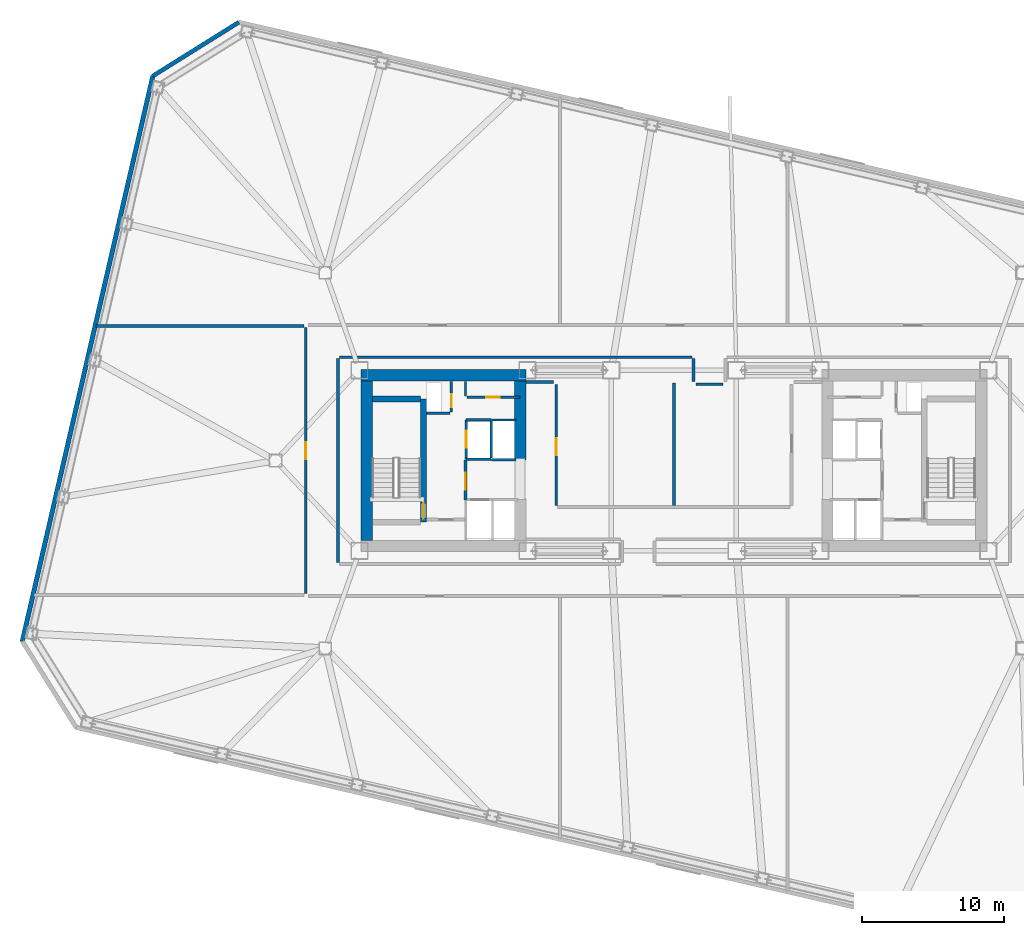
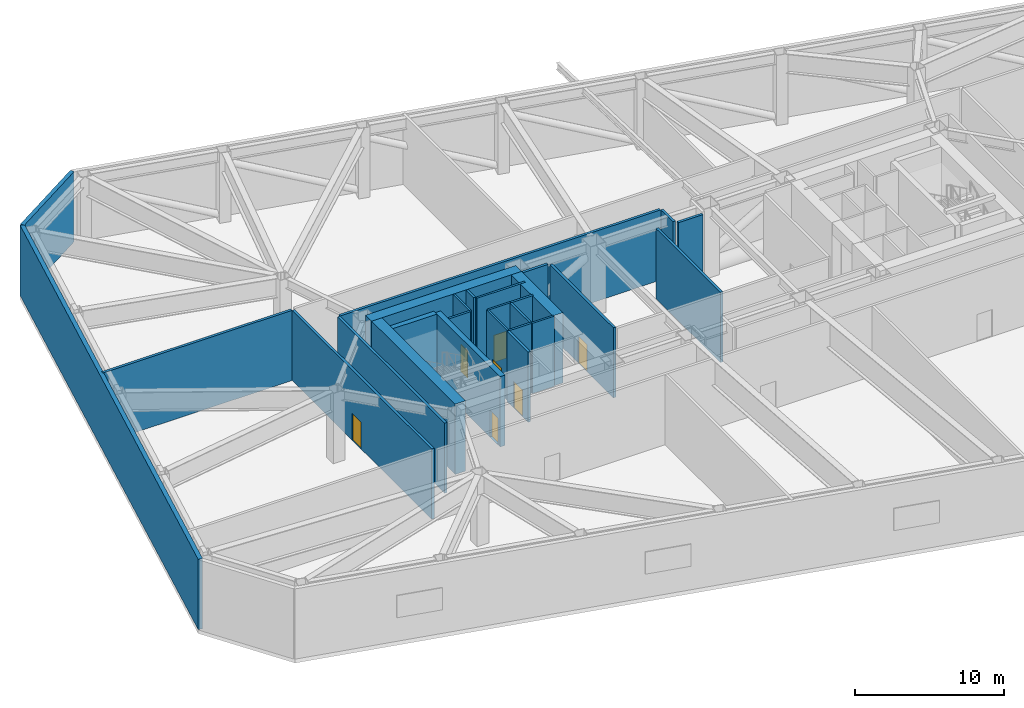
# One storey, part 5 of 15: 27 walls, 7 doors, 7 openings.
"""IFC4 building model written with IfcOpenShell, lengths in metres."""

from ifc_helpers import new_model, si_unit, direction, frame, frame_2d, origin, place, context, subcontext, project, spatial, rectangle, extrude, material, layer, layer_set, type_object, element, fill, save


model = new_model("IFC4")

# Units and contexts
model_context = context("Model", 3, precision=1e-05, world=origin(), true_north=direction((0.0, 1.0)))
body_context = subcontext(model_context, "Body", "Model", "MODEL_VIEW")
ifc_project = project(units=[si_unit("LENGTHUNIT", "METRE"), si_unit("AREAUNIT", "SQUARE_METRE"), si_unit("VOLUMEUNIT", "CUBIC_METRE"), si_unit("PLANEANGLEUNIT", "RADIAN"), si_unit("MASSUNIT", "GRAM", prefix="KILO")], contexts=[model_context])

# Site, building, storey
site_placement = place(None, origin())
site = spatial("IfcSite", under=ifc_project, at=site_placement, CompositionType="ELEMENT")
building_placement = place(site_placement, origin())
building = spatial("IfcBuilding", under=site, at=building_placement, Name="Tavrogorsk Clinical Tower", CompositionType="ELEMENT")
storey_placement = place(building_placement, frame((0.0, 0.0, 33.39990234375)))
storey = spatial("IfcBuildingStorey", under=building, at=storey_placement, Name="L06", CompositionType="ELEMENT", Elevation=33.39990234375)

# Wall, opening, door
ifc_material_1 = material(Name="Concrete B60", Category="concrete")
ifc_layer_1 = layer(ifc_material_1, 0.199951171875)
ifc_layer_set_1 = layer_set([ifc_layer_1], Name="Concrete B60")
wall_type_1 = type_object("IfcWallType", Name="CoreFireWall_200", PredefinedType="SOLIDWALL", material=ifc_layer_set_1)
wall_1_placement = place(storey_placement, frame((-14.639892578125, -2.780029296875, 0.0), z_axis=(0.0, 0.0, 1.0), x_axis=(0.0, 1.0, 0.0)))
wall_1 = element("IfcWall", 1, at=wall_1_placement, inside=storey, type_object=wall_type_1, Name="L06 Core West Firefighting Lobby Fire Wall", PredefinedType="SOLIDWALL", context=body_context, shape_type="SweptSolid", body=[
    extrude(rectangle(XDim=2.820068359375, YDim=0.199951171875, at=frame_2d((1.41015625, 0.0))), origin(), (0.0, 0.0, 1.0), 5.739990234375),
])
opening_1_placement = place(wall_1_placement, frame((0.72998046875, 0.0, 0.0)))
opening_1 = element("IfcOpeningElement", 2, at=opening_1_placement, cuts=wall_1, Name="Opening FD-01", PredefinedType="OPENING", context=body_context, shape_type="SweptSolid", body=[
    extrude(rectangle(XDim=1.199951171875, YDim=2.199951171875, at=frame_2d((0.60009765625, 1.10009765625))), frame((0.0, 0.10986328125, 0.0), z_axis=(0.0, -1.0, 0.0), x_axis=(1.0, 0.0, 0.0)), (0.0, 0.0, 1.0), 0.219970703125),
])
ifc_material_2 = material(Name="Galvanised steel fire-rated door assembly", Category="steel")
door_type_1 = type_object("IfcDoorType", Name="FireDoor_FD01_1200", OperationType="NOTDEFINED", PredefinedType="DOOR", material=ifc_material_2)
door_1_placement = place(opening_1_placement, origin())
door_1 = element("IfcDoor", 3, at=door_1_placement, inside=storey, type_object=door_type_1, Name="L06 Core West Firefighting Lobby Entry Door", OperationType="SINGLE_SWING_RIGHT", OverallHeight=2.199951171875, OverallWidth=1.199951171875, PredefinedType="DOOR", context=body_context, shape_type="SweptSolid", body=[
    extrude(rectangle(XDim=1.199951171875, YDim=2.199951171875, at=frame_2d((0.60009765625, 1.10009765625))), frame((0.0, 0.02490234375, 0.0), z_axis=(0.0, -1.0, 0.0), x_axis=(1.0, 0.0, 0.0)), (0.0, 0.0, 1.0), 0.050048828125),
])
fill(opening_1, door_1)

wall_2_placement = place(storey_placement, frame((-25.8798828125, -9.344970703125, 0.0), z_axis=(0.0, 0.0, 1.0), x_axis=(0.0, 1.0, 0.0)))
wall_2 = element("IfcWall", 4, at=wall_2_placement, inside=storey, type_object=wall_type_1, Name="L06 Refuge Corridor Fire Wall 01", PredefinedType="SOLIDWALL", context=body_context, shape_type="SweptSolid", body=[
    extrude(rectangle(XDim=18.68994140625, YDim=0.199951171875, at=frame_2d((9.344970703125, 0.0))), origin(), (0.0, 0.0, 1.0), 5.739990234375),
])
opening_2_placement = place(wall_2_placement, frame((9.449951171875, 0.0, 0.0)))
opening_2 = element("IfcOpeningElement", 5, at=opening_2_placement, cuts=wall_2, Name="Opening FD-01", PredefinedType="OPENING", context=body_context, shape_type="SweptSolid", body=[
    extrude(rectangle(XDim=1.199951171875, YDim=2.199951171875, at=frame_2d((0.60009765625, 1.10009765625))), frame((0.0, 0.10986328125, 0.0), z_axis=(0.0, -1.0, 0.0), x_axis=(1.0, 0.0, 0.0)), (0.0, 0.0, 1.0), 0.219970703125),
])
door_2_placement = place(opening_2_placement, origin())
door_2 = element("IfcDoor", 6, at=door_2_placement, inside=storey, type_object=door_type_1, Name="L06 Smoke Extract & Damper Plenum West Fire Door", OperationType="SINGLE_SWING_LEFT", OverallHeight=2.199951171875, OverallWidth=1.199951171875, PredefinedType="DOOR", context=body_context, shape_type="SweptSolid", body=[
    extrude(rectangle(XDim=1.199951171875, YDim=2.199951171875, at=frame_2d((0.60009765625, 1.10009765625))), frame((0.0, 0.02490234375, 0.0), z_axis=(0.0, -1.0, 0.0), x_axis=(1.0, 0.0, 0.0)), (0.0, 0.0, 1.0), 0.050048828125),
])
fill(opening_2, door_2)

# Wall
wall_3_placement = place(storey_placement, frame((-10.3798828125, 5.530029296875, 0.0), z_axis=(0.0, 0.0, 1.0), x_axis=(1.0, 0.0, 0.0)))
element("IfcWall", 7, at=wall_3_placement, inside=storey, type_object=wall_type_1, Name="L06 Refuge Corridor Fire Wall 07", PredefinedType="SOLIDWALL", context=body_context, shape_type="SweptSolid", body=[
    extrude(rectangle(XDim=1.9248046875, YDim=0.199951171875, at=frame_2d((0.96240234375, 0.0))), origin(), (0.0, 0.0, 1.0), 5.739990234375),
])

# Wall, opening, door
wall_4_placement = place(storey_placement, frame((-8.27001953125, 5.344970703125, 0.0), z_axis=(0.0, 0.0, 1.0), x_axis=(0.0, -1.0, 0.0)))
wall_4 = element("IfcWall", 8, at=wall_4_placement, inside=storey, type_object=wall_type_1, Name="L06 Refuge Corridor Fire Wall 08", PredefinedType="SOLIDWALL", context=body_context, shape_type="SweptSolid", body=[
    extrude(rectangle(XDim=8.510009765625, YDim=0.199951171875, at=frame_2d((4.2548828125, 0.0))), origin(), (0.0, 0.0, 1.0), 5.739990234375),
])
opening_3_placement = place(wall_4_placement, frame((3.760009765625, 0.0, 0.0)))
opening_3 = element("IfcOpeningElement", 9, at=opening_3_placement, cuts=wall_4, Name="Opening FD-01", PredefinedType="OPENING", context=body_context, shape_type="SweptSolid", body=[
    extrude(rectangle(XDim=1.199951171875, YDim=2.199951171875, at=frame_2d((0.60009765625, 1.10009765625))), frame((0.0, 0.10986328125, 0.0), z_axis=(0.0, -1.0, 0.0), x_axis=(1.0, 0.0, 0.0)), (0.0, 0.0, 1.0), 0.219970703125),
])
door_3_placement = place(opening_3_placement, origin())
door_3 = element("IfcDoor", 10, at=door_3_placement, inside=storey, type_object=door_type_1, Name="L06 Zone Substation & Medical IT UPS Fire Door", OperationType="SINGLE_SWING_LEFT", OverallHeight=2.199951171875, OverallWidth=1.199951171875, PredefinedType="DOOR", context=body_context, shape_type="SweptSolid", body=[
    extrude(rectangle(XDim=1.199951171875, YDim=2.199951171875, at=frame_2d((0.60009765625, 1.10009765625))), frame((0.0, 0.02490234375, 0.0), z_axis=(0.0, -1.0, 0.0), x_axis=(1.0, 0.0, 0.0)), (0.0, 0.0, 1.0), 0.050048828125),
])
fill(opening_3, door_3)

# Walls
wall_5_placement = place(storey_placement, frame((3.445068359375, 5.3701171875, 0.0), z_axis=(0.0, 0.0, 1.0), x_axis=(-1.0, 0.0, 0.0)))
element("IfcWall", 11, at=wall_5_placement, inside=storey, type_object=wall_type_1, Name="L06 Refuge Corridor Fire Wall 18", PredefinedType="SOLIDWALL", context=body_context, shape_type="SweptSolid", body=[
    extrude(rectangle(XDim=1.89013671875, YDim=0.199951171875, at=frame_2d((0.945068359375, 0.0))), origin(), (0.0, 0.0, 1.0), 5.739990234375),
])
wall_6_placement = place(storey_placement, frame((1.3701171875, 5.554931640625, 0.0), z_axis=(0.0, 0.0, 1.0), x_axis=(0.0, 1.0, 0.0)))
element("IfcWall", 12, at=wall_6_placement, inside=storey, type_object=wall_type_1, Name="L06 Refuge Corridor Fire Wall 19", PredefinedType="SOLIDWALL", context=body_context, shape_type="SweptSolid", body=[
    extrude(rectangle(XDim=1.610107421875, YDim=0.199951171875, at=frame_2d((0.80517578125, 0.0))), origin(), (0.0, 0.0, 1.0), 5.739990234375),
])
wall_7_placement = place(storey_placement, frame((1.264892578125, 7.27001953125, 0.0), z_axis=(0.0, 0.0, 1.0), x_axis=(-1.0, 0.0, 0.0)))
element("IfcWall", 13, at=wall_7_placement, inside=storey, type_object=wall_type_1, Name="L06 Refuge Corridor Fire Wall 20", PredefinedType="SOLIDWALL", context=body_context, shape_type="SweptSolid", body=[
    extrude(rectangle(XDim=24.77978515625, YDim=0.199951171875, at=frame_2d((12.389892578125, 0.0))), origin(), (0.0, 0.0, 1.0), 5.739990234375),
])
wall_8_placement = place(storey_placement, frame((-23.6201171875, 7.1650390625, 0.0), z_axis=(0.0, 0.0, 1.0), x_axis=(0.0, -1.0, 0.0)))
element("IfcWall", 14, at=wall_8_placement, inside=storey, type_object=wall_type_1, Name="L06 Refuge Corridor Fire Wall 21", PredefinedType="SOLIDWALL", context=body_context, shape_type="SweptSolid", body=[
    extrude(rectangle(XDim=14.330078125, YDim=0.199951171875, at=frame_2d((7.1650390625, 0.0))), origin(), (0.0, 0.0, 1.0), 5.739990234375),
])
wall_9_placement = place(storey_placement, frame((-40.629150390625, 9.449951171875, 0.0), z_axis=(0.0, 0.0, 1.0), x_axis=(1.0, 0.0, 0.0)))
element("IfcWall", 15, at=wall_9_placement, inside=storey, type_object=wall_type_1, Name="L06 Refuge & Plant Fire Wall 3", PredefinedType="SOLIDWALL", context=body_context, shape_type="SweptSolid", body=[
    extrude(rectangle(XDim=14.64404296875, YDim=0.199951171875, at=frame_2d((7.322021484375, 0.0))), origin(), (0.0, 0.0, 1.0), 5.739990234375),
])
wall_10_placement = place(storey_placement, frame((0.0, -3.1650390625, 0.0), z_axis=(0.0, 0.0, 1.0), x_axis=(0.0, 1.0, 0.0)))
element("IfcWall", 16, at=wall_10_placement, inside=storey, type_object=wall_type_1, Name="L06 Refuge & Plant Fire Wall 9", PredefinedType="SOLIDWALL", context=body_context, shape_type="SweptSolid", body=[
    extrude(rectangle(XDim=8.614990234375, YDim=0.199951171875, at=frame_2d((4.3076171875, 0.0))), origin(), (0.0, 0.0, 1.0), 5.739990234375),
])

# Wall, opening, door
ifc_material_3 = material(Name="Lightweight concrete blockwork B15", Category="masonry")
ifc_layer_2 = layer(ifc_material_3, 0.159912109375)
ifc_layer_set_2 = layer_set([ifc_layer_2], Name="Lightweight concrete blockwork B15")
wall_type_2 = type_object("IfcWallType", Name="PartitionWall_160", PredefinedType="PARTITIONING", material=ifc_layer_set_2)
wall_11_placement = place(storey_placement, frame((-14.554931640625, 4.4599609375, 0.0), z_axis=(0.0, 0.0, 1.0), x_axis=(1.0, 0.0, 0.0)))
wall_11 = element("IfcWall", 17, at=wall_11_placement, inside=storey, type_object=wall_type_2, Name="L06 Core West Pneumatic Dispatch South Wall", PredefinedType="PARTITIONING", context=body_context, shape_type="SweptSolid", body=[
    extrude(rectangle(XDim=3.7548828125, YDim=0.159912109375, at=frame_2d((1.87744140625, 0.0))), origin(), (0.0, 0.0, 1.0), 5.739990234375),
])
opening_4_placement = place(wall_11_placement, frame((1.35009765625, 0.0, 0.0)))
opening_4 = element("IfcOpeningElement", 18, at=opening_4_placement, cuts=wall_11, Name="Opening ID-02", PredefinedType="OPENING", context=body_context, shape_type="SweptSolid", body=[
    extrude(rectangle(XDim=0.949951171875, YDim=2.199951171875, at=frame_2d((0.47509765625, 1.10009765625))), frame((0.0, 0.08984375, 0.0), z_axis=(0.0, -1.0, 0.0), x_axis=(1.0, 0.0, 0.0)), (0.0, 0.0, 1.0), 0.179931640625),
])
ifc_material_4 = material(Name="Laminated timber leaf on aluminium frame", Category="wood")
door_type_2 = type_object("IfcDoorType", Name="InteriorDoor_ID02_950", OperationType="NOTDEFINED", PredefinedType="DOOR", material=ifc_material_4)
door_4_placement = place(opening_4_placement, origin())
door_4 = element("IfcDoor", 19, at=door_4_placement, inside=storey, type_object=door_type_2, Name="L06 Core West Pneumatic Dispatch Door", OperationType="SINGLE_SWING_LEFT", OverallHeight=2.199951171875, OverallWidth=0.949951171875, PredefinedType="DOOR", context=body_context, shape_type="SweptSolid", body=[
    extrude(rectangle(XDim=0.949951171875, YDim=2.199951171875, at=frame_2d((0.47509765625, 1.10009765625))), frame((0.0, 0.02490234375, 0.0), z_axis=(0.0, -1.0, 0.0), x_axis=(1.0, 0.0, 0.0)), (0.0, 0.0, 1.0), 0.050048828125),
])
fill(opening_4, door_4)

# Walls
wall_12_placement = place(storey_placement, frame((-14.639892578125, 4.544921875, 0.0), z_axis=(0.0, 0.0, 1.0), x_axis=(0.0, 1.0, 0.0)))
element("IfcWall", 20, at=wall_12_placement, inside=storey, type_object=wall_type_2, Name="L06 Core West Pneumatic Dispatch East Wall", PredefinedType="PARTITIONING", context=body_context, shape_type="SweptSolid", body=[
    extrude(rectangle(XDim=1.01513671875, YDim=0.159912109375, at=frame_2d((0.507568359375, 0.0))), origin(), (0.0, 0.0, 1.0), 5.739990234375),
])
ifc_material_5 = material(Name="Precast concrete B45 acoustic plenum wall", Category="concrete")
ifc_layer_3 = layer(ifc_material_5, 0.320068359375)
ifc_layer_set_3 = layer_set([ifc_layer_3], Name="Precast concrete B45 acoustic plenum wall")
wall_type_3 = type_object("IfcWallType", Name="PlantLouvreWall_320", PredefinedType="STANDARD", material=ifc_layer_set_3)
wall_13_placement = place(storey_placement, frame((-36.6298828125, 27.039306640625, 0.0), z_axis=(0.0, 0.0, 1.0), x_axis=(-0.224949969076, -0.974370315338, 0.0)))
element("IfcWall", 21, at=wall_13_placement, inside=storey, type_object=wall_type_3, Name="L06 W Pleated Limestone Wing Wall", PredefinedType="STANDARD", context=body_context, shape_type="SweptSolid", body=[
    extrude(rectangle(XDim=40.800048828125, YDim=0.320068359375, at=frame_2d((20.39990234375, 0.0))), origin(), (0.0, 0.0, 1.0), 5.739990234375),
])

# Wall, opening, door
ifc_material_6 = material(Name="Lightweight concrete blockwork B25", Category="masonry")
ifc_layer_4 = layer(ifc_material_6, 0.159912109375)
ifc_layer_set_4 = layer_set([ifc_layer_4], Name="Lightweight concrete blockwork B25")
wall_type_4 = type_object("IfcWallType", Name="ShaftWall_160", PredefinedType="PARTITIONING", material=ifc_layer_set_4)
wall_14_placement = place(storey_placement, frame((-14.60009765625, 0.1201171875, 0.0), z_axis=(0.0, 0.0, 1.0), x_axis=(0.0, 1.0, 0.0)))
wall_14 = element("IfcWall", 22, at=wall_14_placement, inside=storey, type_object=wall_type_4, Name="L06 FFL-W Firefighting Lift Front Wall", PredefinedType="PARTITIONING", context=body_context, shape_type="SweptSolid", body=[
    extrude(rectangle(XDim=2.739990234375, YDim=0.159912109375, at=frame_2d((1.3701171875, 0.0))), origin(), (0.0, 0.0, 1.0), 5.739990234375),
])
opening_5_placement = place(wall_14_placement, frame((0.77001953125, 0.0, 0.0)))
opening_5 = element("IfcOpeningElement", 23, at=opening_5_placement, cuts=wall_14, Name="Opening LD", PredefinedType="OPENING", context=body_context, shape_type="SweptSolid", body=[
    extrude(rectangle(XDim=1.199951171875, YDim=2.199951171875, at=frame_2d((0.60009765625, 1.10009765625))), frame((0.0, 0.08984375, 0.0), z_axis=(0.0, -1.0, 0.0), x_axis=(1.0, 0.0, 0.0)), (0.0, 0.0, 1.0), 0.179931640625),
])
ifc_material_7 = material(Name="Brushed stainless steel AISI 304 sliding doors", Category="steel")
door_type_3 = type_object("IfcDoorType", Name="LiftLandingDoor_LD_1200", OperationType="SLIDING_TO_LEFT", PredefinedType="DOOR", material=ifc_material_7)
door_5_placement = place(opening_5_placement, origin())
door_5 = element("IfcDoor", 24, at=door_5_placement, inside=storey, type_object=door_type_3, Name="L06 FFL-W Sliding Lift Landing Door", OperationType="SLIDING_TO_LEFT", OverallHeight=2.199951171875, OverallWidth=1.199951171875, PredefinedType="DOOR", context=body_context, shape_type="SweptSolid", body=[
    extrude(rectangle(XDim=1.199951171875, YDim=2.199951171875, at=frame_2d((0.60009765625, 1.10009765625))), frame((0.0, 0.02490234375, 0.0), z_axis=(0.0, -1.0, 0.0), x_axis=(1.0, 0.0, 0.0)), (0.0, 0.0, 1.0), 0.050048828125),
])
fill(opening_5, door_5)

# Walls
for number, where, z_axis, x_axis, name in (
    (25, (-14.60009765625, 0.10009765625, 0.0), (0.0, 0.0, 1.0), (1.0, 0.0, 0.0), "L06 FFL-W Shaft South Wall"),
    (26, (-14.60009765625, 2.8798828125, 0.0), (0.0, 0.0, 1.0), (1.0, 0.0, 0.0), "L06 FFL-W Shaft North Wall"),
):
    element("IfcWall", number, at=place(storey_placement, frame(where, z_axis=z_axis, x_axis=x_axis)), inside=storey, type_object=wall_type_4, Name=name, PredefinedType="PARTITIONING", context=body_context, shape_type="SweptSolid", body=[
        extrude(rectangle(XDim=1.760009765625, YDim=0.159912109375, at=frame_2d((0.8798828125, 0.0))), origin(), (0.0, 0.0, 1.0), 5.739990234375),
    ])
wall_15_placement = place(storey_placement, frame((-12.840087890625, 0.179931640625, 0.0), z_axis=(0.0, 0.0, 1.0), x_axis=(0.0, 1.0, 0.0)))
element("IfcWall", 27, at=wall_15_placement, inside=storey, type_object=wall_type_4, Name="L06 FFL-W Shaft Back Wall", PredefinedType="PARTITIONING", context=body_context, shape_type="SweptSolid", body=[
    extrude(rectangle(XDim=2.6201171875, YDim=0.159912109375, at=frame_2d((1.31005859375, 0.0))), origin(), (0.0, 0.0, 1.0), 5.739990234375),
])
for number, where, z_axis, x_axis, name in (
    (28, (-12.820068359375, 0.06005859375, 0.0), (0.0, 0.0, 1.0), (1.0, 0.0, 0.0), "L06 LP-H1 High-Zone Lift Portal Wall"),
    (29, (-12.820068359375, 2.860107421875, 0.0), (0.0, 0.0, 1.0), (1.0, 0.0, 0.0), "L06 LP-H1 High-Zone Lift Rear Wall"),
):
    element("IfcWall", number, at=place(storey_placement, frame(where, z_axis=z_axis, x_axis=x_axis)), inside=storey, type_object=wall_type_4, Name=name, PredefinedType="PARTITIONING", context=body_context, shape_type="SweptSolid", body=[
        extrude(rectangle(XDim=1.719970703125, YDim=0.159912109375, at=frame_2d((0.85986328125, 0.0))), origin(), (0.0, 0.0, 1.0), 5.739990234375),
    ])

# Wall, opening, door
wall_16_placement = place(storey_placement, frame((-15.639892578125, 3.405029296875, 0.0), z_axis=(0.0, 0.0, 1.0), x_axis=(0.0, 1.0, 0.0)))
wall_16 = element("IfcWall", 30, at=wall_16_placement, inside=storey, type_object=wall_type_4, Name="L06 Core West Riser West Wall", PredefinedType="PARTITIONING", context=body_context, shape_type="SweptSolid", body=[
    extrude(rectangle(XDim=2.155029296875, YDim=0.159912109375, at=frame_2d((1.07763671875, 0.0))), origin(), (0.0, 0.0, 1.0), 5.739990234375),
])
opening_6_placement = place(wall_16_placement, frame((0.35009765625, 0.0, 0.0)))
opening_6 = element("IfcOpeningElement", 31, at=opening_6_placement, cuts=wall_16, Name="Opening FD-02", PredefinedType="OPENING", context=body_context, shape_type="SweptSolid", body=[
    extrude(rectangle(XDim=0.89990234375, YDim=2.199951171875, at=frame_2d((0.449951171875, 1.10009765625))), frame((0.0, 0.08984375, 0.0), z_axis=(0.0, -1.0, 0.0), x_axis=(1.0, 0.0, 0.0)), (0.0, 0.0, 1.0), 0.179931640625),
])
ifc_material_8 = material(Name="Galvanised steel fire-rated door assembly", Category="steel")
door_type_4 = type_object("IfcDoorType", Name="FireDoor_FD02_900", OperationType="NOTDEFINED", PredefinedType="DOOR", material=ifc_material_8)
door_6_placement = place(opening_6_placement, origin())
door_6 = element("IfcDoor", 32, at=door_6_placement, inside=storey, type_object=door_type_4, Name="L06 Core West Electrical Riser Access Door", OperationType="SINGLE_SWING_LEFT", OverallHeight=2.199951171875, OverallWidth=0.89990234375, PredefinedType="DOOR", context=body_context, shape_type="SweptSolid", body=[
    extrude(rectangle(XDim=0.89990234375, YDim=2.199951171875, at=frame_2d((0.449951171875, 1.10009765625))), frame((0.0, 0.02490234375, 0.0), z_axis=(0.0, -1.0, 0.0), x_axis=(1.0, 0.0, 0.0)), (0.0, 0.0, 1.0), 0.050048828125),
])
fill(opening_6, door_6)

# Wall
wall_17_placement = place(storey_placement, frame((-17.3798828125, 3.320068359375, 0.0), z_axis=(0.0, 0.0, 1.0), x_axis=(1.0, 0.0, 0.0)))
element("IfcWall", 33, at=wall_17_placement, inside=storey, type_object=wall_type_4, Name="L06 Core West Riser South Wall", PredefinedType="PARTITIONING", context=body_context, shape_type="SweptSolid", body=[
    extrude(rectangle(XDim=1.65478515625, YDim=0.159912109375, at=frame_2d((0.827392578125, 0.0))), origin(), (0.0, 0.0, 1.0), 5.739990234375),
])

# Wall, opening, door
ifc_material_9 = material(Name="Concrete B80", Category="concrete")
ifc_layer_5 = layer(ifc_material_9, 0.39990234375)
ifc_layer_set_5 = layer_set([ifc_layer_5], Name="Concrete B80")
wall_type_5 = type_object("IfcWallType", Name="ShearWall_400", PredefinedType="SHEAR", material=ifc_layer_set_5)
wall_18_placement = place(storey_placement, frame((-17.60009765625, -4.324951171875, 0.0), z_axis=(0.0, 0.0, 1.0), x_axis=(0.0, 1.0, 0.0)))
wall_18 = element("IfcWall", 34, at=wall_18_placement, inside=storey, type_object=wall_type_5, Name="L06 Core West Stair Shaft Inner Shear Wall", PredefinedType="SHEAR", context=body_context, shape_type="SweptSolid", body=[
    extrude(rectangle(XDim=8.64990234375, YDim=0.39990234375, at=frame_2d((4.324951171875, 0.0))), origin(), (0.0, 0.0, 1.0), 5.739990234375),
])
opening_7_placement = place(wall_18_placement, frame((0.25, 0.0, 0.0)))
opening_7 = element("IfcOpeningElement", 35, at=opening_7_placement, cuts=wall_18, Name="Opening SD-01", PredefinedType="OPENING", context=body_context, shape_type="SweptSolid", body=[
    extrude(rectangle(XDim=1.10009765625, YDim=2.199951171875, at=frame_2d((0.550048828125, 1.10009765625))), frame((0.0, 0.2099609375, 0.0), z_axis=(0.0, -1.0, 0.0), x_axis=(1.0, 0.0, 0.0)), (0.0, 0.0, 1.0), 0.419921875),
])
ifc_material_10 = material(Name="Galvanised steel smoke-tight fire door assembly", Category="steel")
door_type_5 = type_object("IfcDoorType", Name="StairFireDoor_SD01_1100", OperationType="NOTDEFINED", PredefinedType="DOOR", material=ifc_material_10)
door_7_placement = place(opening_7_placement, origin())
door_7 = element("IfcDoor", 36, at=door_7_placement, inside=storey, type_object=door_type_5, Name="L06 ST-W Exit Stair Door", OperationType="SINGLE_SWING_LEFT", OverallHeight=2.199951171875, OverallWidth=1.10009765625, PredefinedType="DOOR", context=body_context, shape_type="SweptSolid", body=[
    extrude(rectangle(XDim=1.10009765625, YDim=2.199951171875, at=frame_2d((0.550048828125, 1.10009765625))), frame((0.0, 0.02490234375, 0.0), z_axis=(0.0, -1.0, 0.0), x_axis=(1.0, 0.0, 0.0)), (0.0, 0.0, 1.0), 0.050048828125),
])
fill(opening_7, door_7)

# Walls
wall_19_placement = place(storey_placement, frame((-21.199951171875, 4.324951171875, 0.0), z_axis=(0.0, 0.0, 1.0), x_axis=(1.0, 0.0, 0.0)))
element("IfcWall", 37, at=wall_19_placement, inside=storey, type_object=wall_type_5, Name="L06 Core West Stair Shaft North Shear Wall", PredefinedType="SHEAR", context=body_context, shape_type="SweptSolid", body=[
    extrude(rectangle(XDim=3.39990234375, YDim=0.39990234375, at=frame_2d((1.699951171875, 0.0))), origin(), (0.0, 0.0, 1.0), 5.739990234375),
])
ifc_material_11 = material(Name="Concrete B80", Category="concrete")
ifc_layer_6 = layer(ifc_material_11, 0.800048828125)
ifc_layer_set_6 = layer_set([ifc_layer_6], Name="Concrete B80")
wall_type_6 = type_object("IfcWallType", Name="ShearWall_800", PredefinedType="SHEAR", material=ifc_layer_set_6)
wall_20_placement = place(storey_placement, frame((-22.0, 6.0, 0.0), z_axis=(0.0, 0.0, 1.0), x_axis=(1.0, 0.0, 0.0)))
element("IfcWall", 38, at=wall_20_placement, inside=storey, type_object=wall_type_6, Name="L06 Core West North Shear Wall", PredefinedType="SHEAR", context=body_context, shape_type="SweptSolid", body=[
    extrude(rectangle(XDim=11.60009765625, YDim=0.800048828125, at=frame_2d((5.800048828125, 0.0))), origin(), (0.0, 0.0, 1.0), 5.739990234375),
])
wall_21_placement = place(storey_placement, frame((-21.60009765625, -5.60009765625, 0.0), z_axis=(0.0, 0.0, 1.0), x_axis=(0.0, 1.0, 0.0)))
element("IfcWall", 39, at=wall_21_placement, inside=storey, type_object=wall_type_6, Name="L06 Core West End Shear Wall", PredefinedType="SHEAR", context=body_context, shape_type="SweptSolid", body=[
    extrude(rectangle(XDim=11.2001953125, YDim=0.800048828125, at=frame_2d((5.60009765625, 0.0))), origin(), (0.0, 0.0, 1.0), 5.739990234375),
])
wall_22_placement = place(storey_placement, frame((-10.800048828125, 0.050048828125, 0.0), z_axis=(0.0, 0.0, 1.0), x_axis=(0.0, 1.0, 0.0)))
element("IfcWall", 40, at=wall_22_placement, inside=storey, type_object=wall_type_6, Name="L06 Core West Inner North Pier", PredefinedType="SHEAR", context=body_context, shape_type="SweptSolid", body=[
    extrude(rectangle(XDim=5.550048828125, YDim=0.800048828125, at=frame_2d((2.77490234375, 0.0))), origin(), (0.0, 0.0, 1.0), 5.739990234375),
])
ifc_material_12 = material(Name="Precast concrete B45 with mineral wool", Category="concrete")
ifc_layer_7 = layer(ifc_material_12, 0.300048828125)
ifc_layer_set_7 = layer_set([ifc_layer_7], Name="Precast concrete B45 with mineral wool")
wall_type_7 = type_object("IfcWallType", Name="SpandrelBackWall_300", PredefinedType="STANDARD", material=ifc_layer_set_7)
wall_23_placement = place(storey_placement, frame((-30.585205078125, 30.816162109375, 0.0), z_axis=(0.0, 0.0, 1.0), x_axis=(-0.848065648215, -0.529891174033, 0.0)))
element("IfcWall", 41, at=wall_23_placement, inside=storey, type_object=wall_type_7, Name="L06 Chamfered Corner Wall 3", PredefinedType="STANDARD", context=body_context, shape_type="SweptSolid", body=[
    extrude(rectangle(XDim=7.127685546875, YDim=0.300048828125, at=frame_2d((3.56396484375, 0.0))), origin(), (0.0, 0.0, 1.0), 5.739990234375),
])

save(model, "model.ifc")
